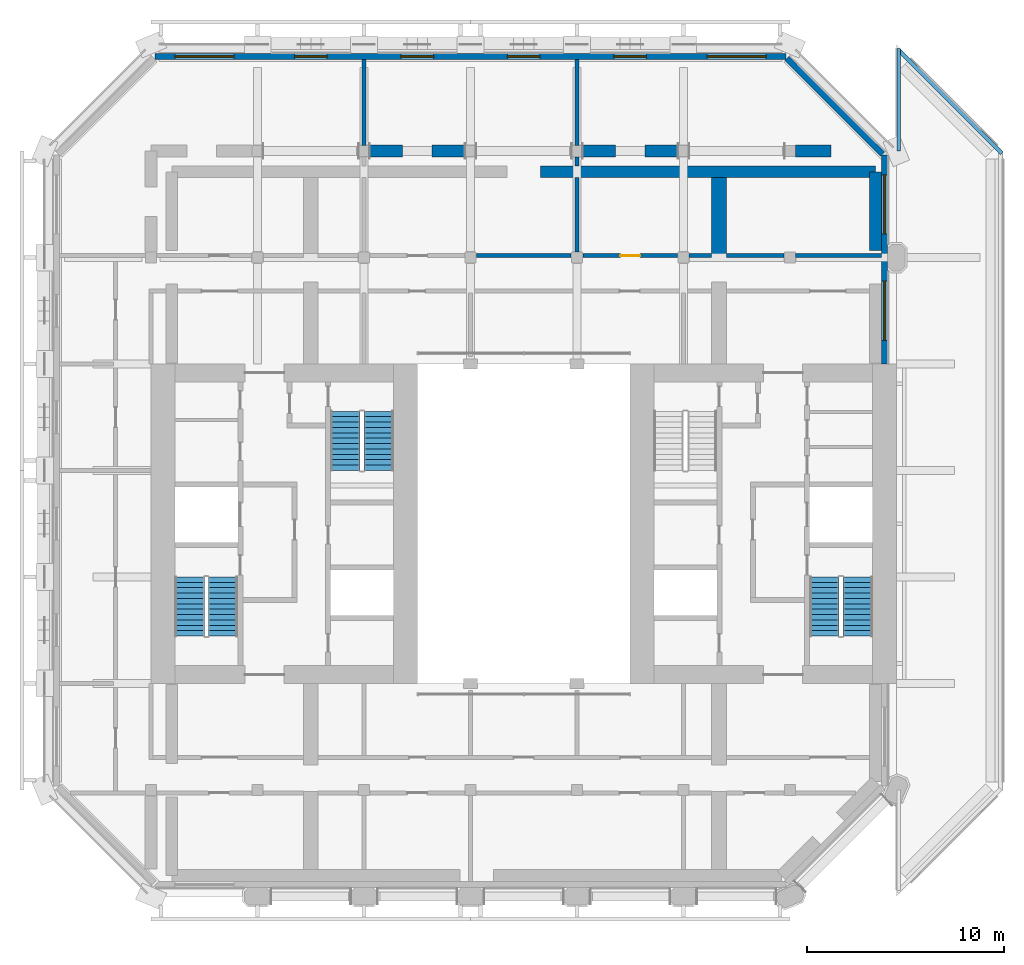
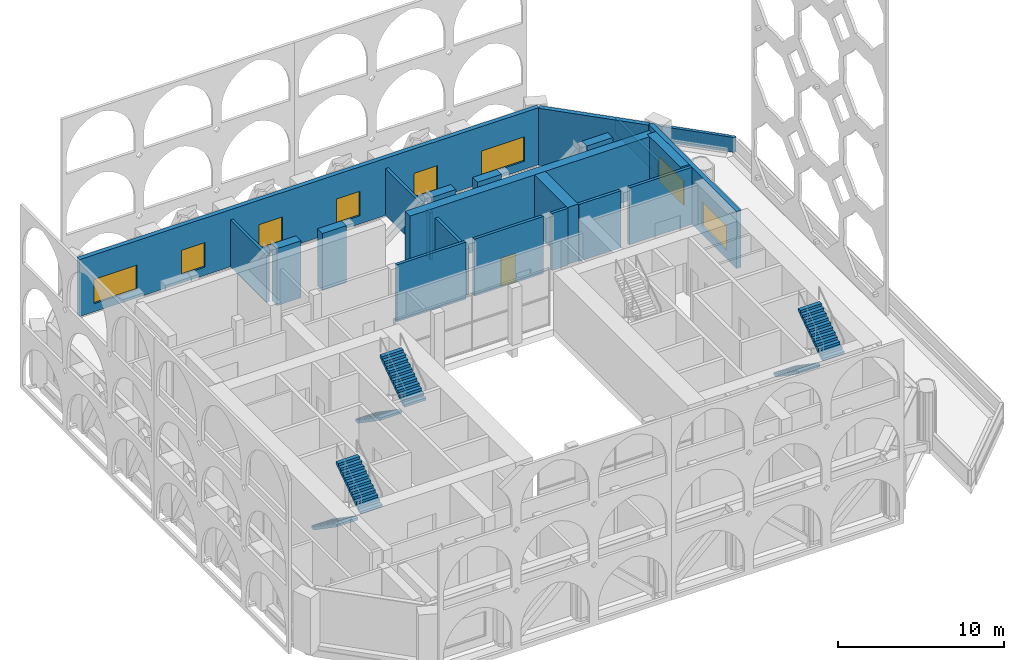
# One storey, part 10 of 16: 22 walls, 8 windows, 6 stair flights, 1 door, 9 openings, 3 elements without a shape of their own.
"""IFC4 building model written with IfcOpenShell, lengths in metres."""

from ifc_helpers import new_model, si_unit, direction, frame, frame_2d, origin, place, context, subcontext, project, spatial, polyline, rectangle, outline, extrude, material, layer, layer_set, type_object, element, fill, aggregate, save


model = new_model("IFC4")

# Units and contexts
model_context = context("Model", 3, precision=1e-05, world=origin(), true_north=direction((0.0, 1.0)))
body_context = subcontext(model_context, "Body", "Model", "MODEL_VIEW")
ifc_project = project(units=[si_unit("LENGTHUNIT", "METRE"), si_unit("AREAUNIT", "SQUARE_METRE"), si_unit("VOLUMEUNIT", "CUBIC_METRE"), si_unit("PLANEANGLEUNIT", "RADIAN"), si_unit("MASSUNIT", "GRAM", prefix="KILO")], contexts=[model_context])

# Site, building, storey
site_placement = place(None, origin())
site = spatial("IfcSite", under=ifc_project, at=site_placement, CompositionType="ELEMENT")
building_placement = place(site_placement, origin())
building = spatial("IfcBuilding", under=site, at=building_placement, Name="Tabaq Tower and Sports Hall", CompositionType="ELEMENT")
storey_placement = place(building_placement, frame((0.0, 0.0, 308.199951171875)))
storey = spatial("IfcBuildingStorey", under=building, at=storey_placement, Name="L77", CompositionType="ELEMENT", Elevation=308.199951171875)

# Walls
ifc_material_1 = material(Name="Blockwork", Category="masonry")
ifc_layer_1 = layer(ifc_material_1, 0.199951171875)
ifc_layer_set_1 = layer_set([ifc_layer_1], Name="Fire compartment wall 200 Blockwork")
wall_type_1 = type_object("IfcWallType", Name="Fire compartment wall 200 Blockwork", PredefinedType="PARTITIONING", material=ifc_layer_set_1)
wall_1_placement = place(storey_placement, frame((27.0, 47.84912109375, 0.0), z_axis=(0.0, 0.0, 1.0), x_axis=(0.0, -1.0, 0.0)))
element("IfcWall", 1, at=wall_1_placement, inside=storey, type_object=wall_type_1, Name="Compartment wall L77", PredefinedType="PARTITIONING", context=body_context, shape_type="SweptSolid", body=[
    extrude(rectangle(XDim=4.35400390625, YDim=0.199951171875, at=frame_2d((2.177001953125, 0.0))), origin(), (0.0, 0.0, 1.0), 3.449951171875),
])
wall_2_placement = place(storey_placement, frame((27.0, 42.905029296875, 0.0), z_axis=(0.0, 0.0, 1.0), x_axis=(0.0, -1.0, 0.0)))
element("IfcWall", 2, at=wall_2_placement, inside=storey, type_object=wall_type_1, Name="Compartment wall L77", PredefinedType="PARTITIONING", context=body_context, shape_type="SweptSolid", body=[
    extrude(rectangle(XDim=0.4541015625, YDim=0.199951171875, at=frame_2d((0.22705078125, 0.0))), origin(), (0.0, 0.0, 1.0), 3.449951171875),
])
wall_3_placement = place(storey_placement, frame((27.0, 41.84912109375, 0.0), z_axis=(0.0, 0.0, 1.0), x_axis=(0.0, -1.0, 0.0)))
element("IfcWall", 3, at=wall_3_placement, inside=storey, type_object=wall_type_1, Name="Compartment wall L77", PredefinedType="PARTITIONING", context=body_context, shape_type="SweptSolid", body=[
    extrude(rectangle(XDim=3.754150390625, YDim=0.199951171875, at=frame_2d((1.876953125, 0.0))), origin(), (0.0, 0.0, 1.0), 3.449951171875),
])

# Wall, opening, door
wall_4_placement = place(storey_placement, frame((27.294921875, 37.89990234375, 0.0), z_axis=(0.0, 0.0, 1.0), x_axis=(1.0, 0.0, 0.0)))
wall_4 = element("IfcWall", 4, at=wall_4_placement, inside=storey, type_object=wall_type_1, Name="Compartment wall L77", PredefinedType="PARTITIONING", context=body_context, shape_type="SweptSolid", body=[
    extrude(rectangle(XDim=4.81005859375, YDim=0.199951171875, at=frame_2d((2.405029296875, 0.0))), origin(), (0.0, 0.0, 1.0), 4.199951171875),
])
opening_1_placement = place(wall_4_placement, frame((1.905029296875, 0.0, 0.0)))
opening_1 = element("IfcOpeningElement", 5, at=opening_1_placement, cuts=wall_4, Name="Opening L77-002", PredefinedType="OPENING", context=body_context, shape_type="SweptSolid", body=[
    extrude(rectangle(XDim=1.0, YDim=2.10009765625, at=frame_2d((0.5, 1.050048828125))), frame((0.0, 0.10009765625, 0.0), z_axis=(0.0, -1.0, 0.0), x_axis=(1.0, 0.0, 0.0)), (0.0, 0.0, 1.0), 0.199951171875),
])
ifc_material_2 = material(Name="Steel fire door", Category="steel")
door_type = type_object("IfcDoorType", Name="Plant room door 1000 right hand", OperationType="SINGLE_SWING_RIGHT", PredefinedType="DOOR", material=ifc_material_2)
door_placement = place(opening_1_placement, origin())
door = element("IfcDoor", 6, at=door_placement, inside=storey, type_object=door_type, Name="Plant room door L77-002", OperationType="SINGLE_SWING_RIGHT", OverallHeight=2.10009765625, OverallWidth=1.0, PredefinedType="DOOR", context=body_context, shape_type="SweptSolid", body=[
    extrude(rectangle(XDim=1.0, YDim=2.10009765625, at=frame_2d((0.5, 1.050048828125))), frame((0.0, 0.02490234375, 0.0), z_axis=(0.0, -1.0, 0.0), x_axis=(1.0, 0.0, 0.0)), (0.0, 0.0, 1.0), 0.050048828125),
])
fill(opening_1, door)

# Walls
wall_5_placement = place(storey_placement, frame((32.695068359375, 37.89990234375, 0.0), z_axis=(0.0, 0.0, 1.0), x_axis=(1.0, 0.0, 0.0)))
element("IfcWall", 7, at=wall_5_placement, inside=storey, type_object=wall_type_1, Name="Compartment wall L77", PredefinedType="PARTITIONING", context=body_context, shape_type="SweptSolid", body=[
    extrude(rectangle(XDim=1.12890625, YDim=0.199951171875, at=frame_2d((0.564453125, 0.0))), origin(), (0.0, 0.0, 1.0), 4.199951171875),
])
wall_6_placement = place(storey_placement, frame((34.575927734375, 37.89990234375, 0.0), z_axis=(0.0, 0.0, 1.0), x_axis=(1.0, 0.0, 0.0)))
element("IfcWall", 8, at=wall_6_placement, inside=storey, type_object=wall_type_1, Name="Compartment wall L77", PredefinedType="PARTITIONING", context=body_context, shape_type="SweptSolid", body=[
    extrude(rectangle(XDim=2.928955078125, YDim=0.199951171875, at=frame_2d((1.46435546875, 0.0))), origin(), (0.0, 0.0, 1.0), 4.199951171875),
])
wall_7_placement = place(storey_placement, frame((38.094970703125, 37.89990234375, 0.0), z_axis=(0.0, 0.0, 1.0), x_axis=(1.0, 0.0, 0.0)))
element("IfcWall", 9, at=wall_7_placement, inside=storey, type_object=wall_type_1, Name="Compartment wall L77", PredefinedType="PARTITIONING", context=body_context, shape_type="SweptSolid", body=[
    extrude(rectangle(XDim=4.35400390625, YDim=0.199951171875, at=frame_2d((2.177001953125, 0.0))), origin(), (0.0, 0.0, 1.0), 4.199951171875),
])
wall_8_placement = place(storey_placement, frame((16.199951171875, 47.84912109375, 0.0), z_axis=(0.0, 0.0, 1.0), x_axis=(0.0, -1.0, 0.0)))
element("IfcWall", 10, at=wall_8_placement, inside=storey, type_object=wall_type_1, Name="Compartment wall L77", PredefinedType="PARTITIONING", context=body_context, shape_type="SweptSolid", body=[
    extrude(rectangle(XDim=4.35400390625, YDim=0.199951171875, at=frame_2d((2.177001953125, 0.0))), origin(), (0.0, 0.0, 1.0), 3.449951171875),
])
wall_9_placement = place(storey_placement, frame((21.89501953125, 37.89990234375, 0.0), z_axis=(0.0, 0.0, 1.0), x_axis=(1.0, 0.0, 0.0)))
element("IfcWall", 11, at=wall_9_placement, inside=storey, type_object=wall_type_1, Name="Compartment wall L77", PredefinedType="PARTITIONING", context=body_context, shape_type="SweptSolid", body=[
    extrude(rectangle(XDim=4.81005859375, YDim=0.199951171875, at=frame_2d((2.405029296875, 0.0))), origin(), (0.0, 0.0, 1.0), 4.199951171875),
])
ifc_material_3 = material(Name="Concrete C40/50", Category="concrete")
ifc_layer_2 = layer(ifc_material_3, 0.60009765625)
ifc_layer_set_2 = layer_set([ifc_layer_2], Name="RC BELT WALL 600 C40/50")
wall_type_2 = type_object("IfcWallType", Name="RC BELT WALL 600 C40/50", PredefinedType="SHEAR", material=ifc_layer_set_2)
wall_10_placement = place(storey_placement, frame((25.14990234375, 42.14990234375, 0.0), z_axis=(0.0, 0.0, 1.0), x_axis=(1.0, 0.0, 0.0)))
element("IfcWall", 12, at=wall_10_placement, inside=storey, type_object=wall_type_2, Name="Belt Wall L77 6", PredefinedType="SHEAR", context=body_context, shape_type="SweptSolid", body=[
    extrude(rectangle(XDim=17.0, YDim=0.60009765625, at=frame_2d((8.5, 0.0))), origin(), (0.0, 0.0, 1.0), 4.199951171875),
])
wall_11_placement = place(storey_placement, frame((42.14990234375, 42.14990234375, 0.0), z_axis=(0.0, 0.0, 1.0), x_axis=(0.0, -1.0, 0.0)))
element("IfcWall", 13, at=wall_11_placement, inside=storey, type_object=wall_type_2, Name="Belt Wall L77 7", PredefinedType="SHEAR", context=body_context, shape_type="SweptSolid", body=[
    extrude(rectangle(XDim=4.0, YDim=0.60009765625, at=frame_2d((2.0, 0.0))), origin(), (0.0, 0.0, 1.0), 4.199951171875),
])
ifc_material_4 = material(Name="Concrete C40/50", Category="concrete")
ifc_layer_3 = layer(ifc_material_4, 0.75)
ifc_layer_set_3 = layer_set([ifc_layer_3], Name="RC OUTRIGGER WALL 750 C40/50")
wall_type_3 = type_object("IfcWallType", Name="RC OUTRIGGER WALL 750 C40/50", PredefinedType="SHEAR", material=ifc_layer_set_3)
wall_12_placement = place(storey_placement, frame((34.199951171875, 37.875, 0.0), z_axis=(0.0, 0.0, 1.0), x_axis=(0.0, 1.0, 0.0)))
element("IfcWall", 14, at=wall_12_placement, inside=storey, type_object=wall_type_3, Name="Outrigger Wall L77 8", PredefinedType="SHEAR", context=body_context, shape_type="SweptSolid", body=[
    extrude(rectangle(XDim=3.97509765625, YDim=0.75, at=frame_2d((1.987548828125, 0.0))), origin(), (0.0, 0.0, 1.0), 4.199951171875),
])
ifc_material_5 = material(Name="Concrete C40/50", Category="concrete")
ifc_layer_4 = layer(ifc_material_5, 0.60009765625)
ifc_layer_set_4 = layer_set([ifc_layer_4], Name="RC TRANSFER WALL 600 C40/50")
wall_type_4 = type_object("IfcWallType", Name="RC TRANSFER WALL 600 C40/50", PredefinedType="SHEAR", material=ifc_layer_set_4)
wall_13_placement = place(storey_placement, frame((16.47509765625, 43.199951171875, 0.0), z_axis=(0.0, 0.0, 1.0), x_axis=(1.0, 0.0, 0.0)))
element("IfcWall", 15, at=wall_13_placement, inside=storey, type_object=wall_type_4, Name="Transfer Wall L77 North 6", PredefinedType="SHEAR", context=body_context, shape_type="SweptSolid", body=[
    extrude(rectangle(XDim=1.6748046875, YDim=0.60009765625, at=frame_2d((0.83740234375, 0.0))), origin(), (0.0, 0.0, 1.0), 4.199951171875),
])
for number, where, z_axis, x_axis, name in (
    (16, (19.64990234375, 43.199951171875, 0.0), (0.0, 0.0, 1.0), (1.0, 0.0, 0.0), "Transfer Wall L77 North 7"),
    (17, (27.27490234375, 43.199951171875, 0.0), (0.0, 0.0, 1.0), (1.0, 0.0, 0.0), "Transfer Wall L77 North 8"),
    (18, (30.449951171875, 43.199951171875, 0.0), (0.0, 0.0, 1.0), (1.0, 0.0, 0.0), "Transfer Wall L77 North 9"),
):
    element("IfcWall", number, at=place(storey_placement, frame(where, z_axis=z_axis, x_axis=x_axis)), inside=storey, type_object=wall_type_4, Name=name, PredefinedType="SHEAR", context=body_context, shape_type="SweptSolid", body=[
        extrude(rectangle(XDim=1.675048828125, YDim=0.60009765625, at=frame_2d((0.83740234375, 0.0))), origin(), (0.0, 0.0, 1.0), 4.199951171875),
    ])
wall_14_placement = place(storey_placement, frame((38.074951171875, 43.199951171875, 0.0), z_axis=(0.0, 0.0, 1.0), x_axis=(1.0, 0.0, 0.0)))
element("IfcWall", 19, at=wall_14_placement, inside=storey, type_object=wall_type_4, Name="Transfer Wall L77 North 10", PredefinedType="SHEAR", context=body_context, shape_type="SweptSolid", body=[
    extrude(rectangle(XDim=1.8125, YDim=0.60009765625, at=frame_2d((0.90625, 0.0))), origin(), (0.0, 0.0, 1.0), 4.199951171875),
])

# Wall, openings, windows
ifc_material_6 = material(Name="White precast concrete C60/75", Category="concrete")
ifc_layer_5 = layer(ifc_material_6, 0.300048828125)
ifc_layer_set_5 = layer_set([ifc_layer_5], Name="White precast concrete C60/75 external wall 300")
wall_type_5 = type_object("IfcWallType", Name="White precast concrete C60/75 external wall 300", PredefinedType="SOLIDWALL", material=ifc_layer_set_5)
wall_15_placement = place(storey_placement, frame((42.60009765625, 32.39990234375, 0.0), z_axis=(0.0, 0.0, 1.0), x_axis=(0.0, 1.0, 0.0)))
wall_15 = element("IfcWall", 20, at=wall_15_placement, inside=storey, type_object=wall_type_5, Name="External Wall L77 E", PredefinedType="SOLIDWALL", context=body_context, shape_type="SweptSolid", body=[
    extrude(outline(polyline([(0.0, 0.0), (10.61376953125, 0.0), (10.613525390625, 4.199951171875), (10.02392578125, 4.199951171875), (9.434326171875, 4.199951171875), (8.8447265625, 4.199951171875), (8.255126953125, 4.199951171875), (7.665283203125, 4.199951171875), (7.07568359375, 4.199951171875), (6.486083984375, 4.199951171875), (5.896484375, 4.199951171875), (5.306884765625, 4.199951171875), (4.717041015625, 4.199951171875), (4.12744140625, 4.199951171875), (3.537841796875, 4.199951171875), (2.9482421875, 4.199951171875), (2.358642578125, 4.199951171875), (1.76904296875, 4.199951171875), (1.17919921875, 4.199951171875), (0.589599609375, 4.199951171875), (0.0, 4.199951171875), (0.0, 0.0)])), frame((0.0, 0.14990234375, 0.0), z_axis=(0.0, -1.0, 0.0), x_axis=(1.0, 0.0, 0.0)), (0.0, 0.0, 1.0), 0.300048828125),
])
opening_2_placement = place(wall_15_placement, frame((1.199951171875, 0.0, 0.60009765625)))
opening_2 = element("IfcOpeningElement", 21, at=opening_2_placement, cuts=wall_15, Name="Opening LV1", PredefinedType="OPENING", context=body_context, shape_type="SweptSolid", body=[
    extrude(rectangle(XDim=3.0, YDim=1.800048828125, at=frame_2d((1.5, 0.89990234375))), frame((0.0, 0.16015625, 0.0), z_axis=(0.0, -1.0, 0.0), x_axis=(1.0, 0.0, 0.0)), (0.0, 0.0, 1.0), 0.320068359375),
])
opening_3_placement = place(wall_15_placement, frame((6.60009765625, 0.0, 0.60009765625)))
opening_3 = element("IfcOpeningElement", 22, at=opening_3_placement, cuts=wall_15, Name="Opening LV1", PredefinedType="OPENING", context=body_context, shape_type="SweptSolid", body=[
    extrude(rectangle(XDim=3.0, YDim=1.800048828125, at=frame_2d((1.5, 0.89990234375))), frame((0.0, 0.16015625, 0.0), z_axis=(0.0, -1.0, 0.0), x_axis=(1.0, 0.0, 0.0)), (0.0, 0.0, 1.0), 0.320068359375),
])
ifc_material_7 = material(Name="Aluminium alloy 6063-T6 louvre blades", Category="aluminium")
window_type_1 = type_object("IfcWindowType", Name="Plant louvre LV1", PartitioningType="SINGLE_PANEL", PredefinedType="WINDOW", material=ifc_material_7)
window_1_placement = place(opening_2_placement, origin())
window_1 = element("IfcWindow", 23, at=window_1_placement, inside=storey, type_object=window_type_1, Name="Plant louvre L77", OverallHeight=1.800048828125, OverallWidth=3.0, PartitioningType="SINGLE_PANEL", PredefinedType="WINDOW", context=body_context, shape_type="SweptSolid", body=[
    extrude(rectangle(XDim=3.0, YDim=1.800048828125, at=frame_2d((1.5, 0.89990234375))), frame((0.0, 0.030029296875, 0.0), z_axis=(0.0, -1.0, 0.0), x_axis=(1.0, 0.0, 0.0)), (0.0, 0.0, 1.0), 0.06005859375),
])
fill(opening_2, window_1)
window_2_placement = place(opening_3_placement, origin())
window_2 = element("IfcWindow", 24, at=window_2_placement, inside=storey, type_object=window_type_1, Name="Plant louvre L77", OverallHeight=1.800048828125, OverallWidth=3.0, PartitioningType="SINGLE_PANEL", PredefinedType="WINDOW", context=body_context, shape_type="SweptSolid", body=[
    extrude(rectangle(XDim=3.0, YDim=1.800048828125, at=frame_2d((1.5, 0.89990234375))), frame((0.0, 0.030029296875, 0.0), z_axis=(0.0, -1.0, 0.0), x_axis=(1.0, 0.0, 0.0)), (0.0, 0.0, 1.0), 0.06005859375),
])
fill(opening_3, window_2)

# Wall
wall_16_placement = place(storey_placement, frame((42.5009765625, 43.050537109375, 0.0), z_axis=(0.0, 0.0, 1.0), x_axis=(-0.707106781187, 0.707106781187, 0.0)))
element("IfcWall", 25, at=wall_16_placement, inside=storey, type_object=wall_type_5, Name="External Wall L77 NE", PredefinedType="SOLIDWALL", context=body_context, shape_type="SweptSolid", body=[
    extrude(outline(polyline([(0.0, 0.0), (6.85986328125, 0.0), (6.859619140625, 4.199951171875), (6.2880859375, 4.199951171875), (5.71630859375, 4.199951171875), (5.144775390625, 4.199951171875), (4.5732421875, 4.199951171875), (4.00146484375, 4.199951171875), (3.429931640625, 4.199951171875), (2.858154296875, 4.199951171875), (2.28662109375, 4.199951171875), (1.71484375, 4.199951171875), (1.143310546875, 4.199951171875), (0.571533203125, 4.199951171875), (0.0, 4.199951171875), (0.0, 0.0)])), frame((0.0, 0.14990234375, 0.0), z_axis=(0.0, -1.0, 0.0), x_axis=(1.0, 0.0, 0.0)), (0.0, 0.0, 1.0), 0.300048828125),
])

# Wall, openings, windows
wall_17_placement = place(storey_placement, frame((37.613525390625, 48.0, 0.0), z_axis=(0.0, 0.0, 1.0), x_axis=(-1.0, 0.0, 0.0)))
wall_17 = element("IfcWall", 26, at=wall_17_placement, inside=storey, type_object=wall_type_5, Name="External Wall L77 N", PredefinedType="SOLIDWALL", context=body_context, shape_type="SweptSolid", body=[
    extrude(outline(polyline([(0.0, 0.0), (32.027099609375, 0.0), (32.027099609375, 4.199951171875), (31.43408203125, 4.199951171875), (30.841064453125, 4.199951171875), (30.247802734375, 4.199951171875), (29.65478515625, 4.199951171875), (29.061767578125, 4.199951171875), (28.46875, 4.199951171875), (27.87548828125, 4.199951171875), (27.282470703125, 4.199951171875), (26.689453125, 4.199951171875), (26.09619140625, 4.199951171875), (25.503173828125, 4.199951171875), (24.91015625, 4.199951171875), (24.31689453125, 4.199951171875), (23.723876953125, 4.199951171875), (23.130859375, 4.199951171875), (22.53759765625, 4.199951171875), (21.944580078125, 4.199951171875), (21.3515625, 4.199951171875), (20.75830078125, 4.199951171875), (20.165283203125, 4.199951171875), (19.572265625, 4.199951171875), (18.97900390625, 4.199951171875), (18.385986328125, 4.199951171875), (17.79296875, 4.199951171875), (17.19970703125, 4.199951171875), (16.606689453125, 4.199951171875), (16.013671875, 4.199951171875), (15.42041015625, 4.199951171875), (14.827392578125, 4.199951171875), (14.234375, 4.199951171875), (13.64111328125, 4.199951171875), (13.048095703125, 4.199951171875), (12.455078125, 4.199951171875), (11.86181640625, 4.199951171875), (11.268798828125, 4.199951171875), (10.67578125, 4.199951171875), (10.08251953125, 4.199951171875), (9.489501953125, 4.199951171875), (8.896484375, 4.199951171875), (8.303466796875, 4.199951171875), (7.710205078125, 4.199951171875), (7.1171875, 4.199951171875), (6.524169921875, 4.199951171875), (5.930908203125, 4.199951171875), (5.337890625, 4.199951171875), (4.744873046875, 4.199951171875), (4.151611328125, 4.199951171875), (3.55859375, 4.199951171875), (2.965576171875, 4.199951171875), (2.372314453125, 4.199951171875), (1.779296875, 4.199951171875), (1.186279296875, 4.199951171875), (0.593017578125, 4.199951171875), (0.0, 4.199951171875), (0.0, 0.0)])), frame((0.0, 0.14990234375, 0.0), z_axis=(0.0, -1.0, 0.0), x_axis=(1.0, 0.0, 0.0)), (0.0, 0.0, 1.0), 0.300048828125),
])
opening_4_placement = place(wall_17_placement, frame((1.013671875, 0.0, 0.60009765625)))
opening_4 = element("IfcOpeningElement", 27, at=opening_4_placement, cuts=wall_17, Name="Opening LV1", PredefinedType="OPENING", context=body_context, shape_type="SweptSolid", body=[
    extrude(rectangle(XDim=3.0, YDim=1.800048828125, at=frame_2d((1.5, 0.89990234375))), frame((0.0, 0.16015625, 0.0), z_axis=(0.0, -1.0, 0.0), x_axis=(1.0, 0.0, 0.0)), (0.0, 0.0, 1.0), 0.320068359375),
])
opening_5_placement = place(wall_17_placement, frame((7.088623046875, 0.0, 0.60009765625)))
opening_5 = element("IfcOpeningElement", 28, at=opening_5_placement, cuts=wall_17, Name="Opening LV2", PredefinedType="OPENING", context=body_context, shape_type="SweptSolid", body=[
    extrude(rectangle(XDim=1.64990234375, YDim=1.800048828125, at=frame_2d((0.824951171875, 0.89990234375))), frame((0.0, 0.16015625, 0.0), z_axis=(0.0, -1.0, 0.0), x_axis=(1.0, 0.0, 0.0)), (0.0, 0.0, 1.0), 0.320068359375),
])
opening_6_placement = place(wall_17_placement, frame((12.488525390625, 0.0, 0.60009765625)))
opening_6 = element("IfcOpeningElement", 29, at=opening_6_placement, cuts=wall_17, Name="Opening LV2", PredefinedType="OPENING", context=body_context, shape_type="SweptSolid", body=[
    extrude(rectangle(XDim=1.64990234375, YDim=1.800048828125, at=frame_2d((0.824951171875, 0.89990234375))), frame((0.0, 0.16015625, 0.0), z_axis=(0.0, -1.0, 0.0), x_axis=(1.0, 0.0, 0.0)), (0.0, 0.0, 1.0), 0.320068359375),
])
opening_7_placement = place(wall_17_placement, frame((17.888671875, 0.0, 0.60009765625)))
opening_7 = element("IfcOpeningElement", 30, at=opening_7_placement, cuts=wall_17, Name="Opening LV2", PredefinedType="OPENING", context=body_context, shape_type="SweptSolid", body=[
    extrude(rectangle(XDim=1.64990234375, YDim=1.800048828125, at=frame_2d((0.824951171875, 0.89990234375))), frame((0.0, 0.16015625, 0.0), z_axis=(0.0, -1.0, 0.0), x_axis=(1.0, 0.0, 0.0)), (0.0, 0.0, 1.0), 0.320068359375),
])
opening_8_placement = place(wall_17_placement, frame((23.28857421875, 0.0, 0.60009765625)))
opening_8 = element("IfcOpeningElement", 31, at=opening_8_placement, cuts=wall_17, Name="Opening LV2", PredefinedType="OPENING", context=body_context, shape_type="SweptSolid", body=[
    extrude(rectangle(XDim=1.64990234375, YDim=1.800048828125, at=frame_2d((0.824951171875, 0.89990234375))), frame((0.0, 0.16015625, 0.0), z_axis=(0.0, -1.0, 0.0), x_axis=(1.0, 0.0, 0.0)), (0.0, 0.0, 1.0), 0.320068359375),
])
opening_9_placement = place(wall_17_placement, frame((28.013671875, 0.0, 0.60009765625)))
opening_9 = element("IfcOpeningElement", 32, at=opening_9_placement, cuts=wall_17, Name="Opening LV1", PredefinedType="OPENING", context=body_context, shape_type="SweptSolid", body=[
    extrude(rectangle(XDim=3.0, YDim=1.800048828125, at=frame_2d((1.5, 0.89990234375))), frame((0.0, 0.16015625, 0.0), z_axis=(0.0, -1.0, 0.0), x_axis=(1.0, 0.0, 0.0)), (0.0, 0.0, 1.0), 0.320068359375),
])
window_3_placement = place(opening_4_placement, origin())
window_3 = element("IfcWindow", 33, at=window_3_placement, inside=storey, type_object=window_type_1, Name="Plant louvre L77", OverallHeight=1.800048828125, OverallWidth=3.0, PartitioningType="SINGLE_PANEL", PredefinedType="WINDOW", context=body_context, shape_type="SweptSolid", body=[
    extrude(rectangle(XDim=3.0, YDim=1.800048828125, at=frame_2d((1.5, 0.89990234375))), frame((0.0, 0.030029296875, 0.0), z_axis=(0.0, -1.0, 0.0), x_axis=(1.0, 0.0, 0.0)), (0.0, 0.0, 1.0), 0.06005859375),
])
fill(opening_4, window_3)
window_4_placement = place(opening_9_placement, origin())
window_4 = element("IfcWindow", 34, at=window_4_placement, inside=storey, type_object=window_type_1, Name="Plant louvre L77", OverallHeight=1.800048828125, OverallWidth=3.0, PartitioningType="SINGLE_PANEL", PredefinedType="WINDOW", context=body_context, shape_type="SweptSolid", body=[
    extrude(rectangle(XDim=3.0, YDim=1.800048828125, at=frame_2d((1.5, 0.89990234375))), frame((0.0, 0.030029296875, 0.0), z_axis=(0.0, -1.0, 0.0), x_axis=(1.0, 0.0, 0.0)), (0.0, 0.0, 1.0), 0.06005859375),
])
fill(opening_9, window_4)
ifc_material_8 = material(Name="Aluminium alloy 6063-T6 louvre blades", Category="aluminium")
window_type_2 = type_object("IfcWindowType", Name="Plant louvre LV2", PartitioningType="SINGLE_PANEL", PredefinedType="WINDOW", material=ifc_material_8)
window_5_placement = place(opening_5_placement, origin())
window_5 = element("IfcWindow", 35, at=window_5_placement, inside=storey, type_object=window_type_2, Name="Plant louvre L77", OverallHeight=1.800048828125, OverallWidth=1.64990234375, PartitioningType="SINGLE_PANEL", PredefinedType="WINDOW", context=body_context, shape_type="SweptSolid", body=[
    extrude(rectangle(XDim=1.64990234375, YDim=1.800048828125, at=frame_2d((0.824951171875, 0.89990234375))), frame((0.0, 0.030029296875, 0.0), z_axis=(0.0, -1.0, 0.0), x_axis=(1.0, 0.0, 0.0)), (0.0, 0.0, 1.0), 0.06005859375),
])
fill(opening_5, window_5)
window_6_placement = place(opening_6_placement, origin())
window_6 = element("IfcWindow", 36, at=window_6_placement, inside=storey, type_object=window_type_2, Name="Plant louvre L77", OverallHeight=1.800048828125, OverallWidth=1.64990234375, PartitioningType="SINGLE_PANEL", PredefinedType="WINDOW", context=body_context, shape_type="SweptSolid", body=[
    extrude(rectangle(XDim=1.64990234375, YDim=1.800048828125, at=frame_2d((0.824951171875, 0.89990234375))), frame((0.0, 0.030029296875, 0.0), z_axis=(0.0, -1.0, 0.0), x_axis=(1.0, 0.0, 0.0)), (0.0, 0.0, 1.0), 0.06005859375),
])
fill(opening_6, window_6)
window_7_placement = place(opening_7_placement, origin())
window_7 = element("IfcWindow", 37, at=window_7_placement, inside=storey, type_object=window_type_2, Name="Plant louvre L77", OverallHeight=1.800048828125, OverallWidth=1.64990234375, PartitioningType="SINGLE_PANEL", PredefinedType="WINDOW", context=body_context, shape_type="SweptSolid", body=[
    extrude(rectangle(XDim=1.64990234375, YDim=1.800048828125, at=frame_2d((0.824951171875, 0.89990234375))), frame((0.0, 0.030029296875, 0.0), z_axis=(0.0, -1.0, 0.0), x_axis=(1.0, 0.0, 0.0)), (0.0, 0.0, 1.0), 0.06005859375),
])
fill(opening_7, window_7)
window_8_placement = place(opening_8_placement, origin())
window_8 = element("IfcWindow", 38, at=window_8_placement, inside=storey, type_object=window_type_2, Name="Plant louvre L77", OverallHeight=1.800048828125, OverallWidth=1.64990234375, PartitioningType="SINGLE_PANEL", PredefinedType="WINDOW", context=body_context, shape_type="SweptSolid", body=[
    extrude(rectangle(XDim=1.64990234375, YDim=1.800048828125, at=frame_2d((0.824951171875, 0.89990234375))), frame((0.0, 0.030029296875, 0.0), z_axis=(0.0, -1.0, 0.0), x_axis=(1.0, 0.0, 0.0)), (0.0, 0.0, 1.0), 0.06005859375),
])
fill(opening_8, window_8)

# Walls
ifc_material_9 = material(Name="White precast concrete C60/75", Category="concrete")
ifc_layer_6 = layer(ifc_material_9, 0.199951171875)
ifc_layer_set_6 = layer_set([ifc_layer_6], Name="White precast concrete C60/75 parapet 200")
wall_type_6 = type_object("IfcWallType", Name="White precast concrete C60/75 parapet 200", PredefinedType="PARAPET", material=ifc_layer_set_6)
wall_18_placement = place(storey_placement, frame((43.320068359375, 43.199951171875, 0.0), z_axis=(0.0, 0.0, 1.0), x_axis=(0.0, 1.0, 0.0)))
element("IfcWall", 39, at=wall_18_placement, inside=storey, type_object=wall_type_6, Name="Roof parapet L77", PredefinedType="PARAPET", context=body_context, shape_type="SweptSolid", body=[
    extrude(rectangle(XDim=5.21044921875, YDim=0.199951171875, at=frame_2d((2.605224609375, 0.0))), origin(), (0.0, 0.0, 1.0), 1.10009765625),
])
wall_19_placement = place(storey_placement, frame((43.320068359375, 48.310302734375, 0.0), z_axis=(0.0, 0.0, 1.0), x_axis=(0.707106781187, -0.707106781187, 0.0)))
element("IfcWall", 40, at=wall_19_placement, inside=storey, type_object=wall_type_6, Name="Roof parapet L77", PredefinedType="PARAPET", context=body_context, shape_type="SweptSolid", body=[
    extrude(rectangle(XDim=7.3974609375, YDim=0.199951171875, at=frame_2d((3.69873046875, 0.0))), origin(), (0.0, 0.0, 1.0), 1.10009765625),
])

# Stair, stair flights
ifc_material_10 = material(Name="Concrete C40/50", Category="concrete")
stair_type = type_object("IfcStairType", Name="Exit stair", PredefinedType="HALF_TURN_STAIR", material=ifc_material_10)
stair_1_placement = place(storey_placement, origin())
stair_1 = element("IfcStair", 41, at=stair_1_placement, inside=storey, type_object=stair_type, Name="L77 Exit stair ST1", PredefinedType="HALF_TURN_STAIR")
ifc_material_11 = material(Name="Concrete C40/50", Category="concrete")
stair_flight_type = type_object("IfcStairFlightType", Name="Exit stair flight", PredefinedType="STRAIGHT", material=ifc_material_11)
stair_flight_1_placement = place(storey_placement, frame((7.35009765625, 21.60009765625, 0.0), z_axis=(0.0, 0.0, 1.0), x_axis=(0.0, -1.0, 0.0)))
stair_flight_1 = element("IfcStairFlight", 42, at=stair_flight_1_placement, type_object=stair_flight_type, Name="ST1 flight 1", NumberOfRisers=12, NumberOfTreads=11, PredefinedType="STRAIGHT", RiserHeight=0.1875, TreadLength=0.272727273, context=body_context, shape_type="SweptSolid", body=[
    extrude(outline(polyline([(0.0, 0.0), (0.0, 0.1875), (0.272705078125, 0.1875), (0.272705078125, 0.375), (0.54541015625, 0.375), (0.54541015625, 0.5625), (0.818115234375, 0.5625), (0.818115234375, 0.75), (1.0908203125, 0.75), (1.0908203125, 0.9375), (1.363525390625, 0.9375), (1.363525390625, 1.125), (1.636474609375, 1.125), (1.636474609375, 1.3125), (1.9091796875, 1.3125), (1.9091796875, 1.5), (2.181884765625, 1.5), (2.181884765625, 1.6875), (2.45458984375, 1.6875), (2.45458984375, 1.875), (2.727294921875, 1.875), (2.727294921875, 2.0625), (3.0, 2.0625), (3.0, 2.25), (3.0, 1.880615234375), (0.2646484375, 0.0), (0.0, 0.0)])), frame((0.0, 0.75, 0.0), z_axis=(0.0, -1.0, 0.0), x_axis=(1.0, 0.0, 0.0)), (0.0, 0.0, 1.0), 1.5),
])
stair_flight_2_placement = place(storey_placement, frame((9.050048828125, 18.60009765625, 2.25), z_axis=(0.0, 0.0, 1.0), x_axis=(0.0, 1.0, 0.0)))
stair_flight_2 = element("IfcStairFlight", 43, at=stair_flight_2_placement, type_object=stair_flight_type, Name="ST1 flight 2", NumberOfRisers=12, NumberOfTreads=11, PredefinedType="STRAIGHT", RiserHeight=0.1875, TreadLength=0.272727273, context=body_context, shape_type="SweptSolid", body=[
    extrude(outline(polyline([(0.0, 0.0), (0.0, 0.1875), (0.272705078125, 0.1875), (0.272705078125, 0.375), (0.54541015625, 0.375), (0.54541015625, 0.5625), (0.818115234375, 0.5625), (0.818115234375, 0.75), (1.0908203125, 0.75), (1.0908203125, 0.9375), (1.363525390625, 0.9375), (1.363525390625, 1.125), (1.636474609375, 1.125), (1.636474609375, 1.3125), (1.9091796875, 1.3125), (1.9091796875, 1.5), (2.181884765625, 1.5), (2.181884765625, 1.6875), (2.45458984375, 1.6875), (2.45458984375, 1.875), (2.727294921875, 1.875), (2.727294921875, 2.0625), (3.0, 2.0625), (3.0, 2.25), (3.0, 1.880615234375), (0.2646484375, 0.0), (0.0, 0.0)])), frame((0.0, 0.75, 0.0), z_axis=(0.0, -1.0, 0.0), x_axis=(1.0, 0.0, 0.0)), (0.0, 0.0, 1.0), 1.5),
])
aggregate(stair_1, [stair_flight_1, stair_flight_2])

stair_2_placement = place(storey_placement, origin())
stair_2 = element("IfcStair", 44, at=stair_2_placement, inside=storey, type_object=stair_type, Name="L77 Exit stair ST2", PredefinedType="HALF_TURN_STAIR")
stair_flight_3_placement = place(storey_placement, frame((15.25, 30.0, 0.0), z_axis=(0.0, 0.0, 1.0), x_axis=(0.0, -1.0, 0.0)))
stair_flight_3 = element("IfcStairFlight", 45, at=stair_flight_3_placement, type_object=stair_flight_type, Name="ST2 flight 1", NumberOfRisers=12, NumberOfTreads=11, PredefinedType="STRAIGHT", RiserHeight=0.1875, TreadLength=0.272727273, context=body_context, shape_type="SweptSolid", body=[
    extrude(outline(polyline([(0.0, 0.0), (0.0, 0.1875), (0.272705078125, 0.1875), (0.272705078125, 0.375), (0.54541015625, 0.375), (0.54541015625, 0.5625), (0.818115234375, 0.5625), (0.818115234375, 0.75), (1.0908203125, 0.75), (1.0908203125, 0.9375), (1.363525390625, 0.9375), (1.363525390625, 1.125), (1.636474609375, 1.125), (1.636474609375, 1.3125), (1.9091796875, 1.3125), (1.9091796875, 1.5), (2.181884765625, 1.5), (2.181884765625, 1.6875), (2.45458984375, 1.6875), (2.45458984375, 1.875), (2.727294921875, 1.875), (2.727294921875, 2.0625), (3.0, 2.0625), (3.0, 2.25), (3.0, 1.880615234375), (0.2646484375, 0.0), (0.0, 0.0)])), frame((0.0, 0.75, 0.0), z_axis=(0.0, -1.0, 0.0), x_axis=(1.0, 0.0, 0.0)), (0.0, 0.0, 1.0), 1.5),
])
stair_flight_4_placement = place(storey_placement, frame((16.949951171875, 27.0, 2.25), z_axis=(0.0, 0.0, 1.0), x_axis=(0.0, 1.0, 0.0)))
stair_flight_4 = element("IfcStairFlight", 46, at=stair_flight_4_placement, type_object=stair_flight_type, Name="ST2 flight 2", NumberOfRisers=12, NumberOfTreads=11, PredefinedType="STRAIGHT", RiserHeight=0.1875, TreadLength=0.272727273, context=body_context, shape_type="SweptSolid", body=[
    extrude(outline(polyline([(0.0, 0.0), (0.0, 0.1875), (0.272705078125, 0.1875), (0.272705078125, 0.375), (0.54541015625, 0.375), (0.54541015625, 0.5625), (0.818115234375, 0.5625), (0.818115234375, 0.75), (1.0908203125, 0.75), (1.0908203125, 0.9375), (1.363525390625, 0.9375), (1.363525390625, 1.125), (1.636474609375, 1.125), (1.636474609375, 1.3125), (1.9091796875, 1.3125), (1.9091796875, 1.5), (2.181884765625, 1.5), (2.181884765625, 1.6875), (2.45458984375, 1.6875), (2.45458984375, 1.875), (2.727294921875, 1.875), (2.727294921875, 2.0625), (3.0, 2.0625), (3.0, 2.25), (3.0, 1.880615234375), (0.2646484375, 0.0), (0.0, 0.0)])), frame((0.0, 0.75, 0.0), z_axis=(0.0, -1.0, 0.0), x_axis=(1.0, 0.0, 0.0)), (0.0, 0.0, 1.0), 1.5),
])
aggregate(stair_2, [stair_flight_3, stair_flight_4])

stair_3_placement = place(storey_placement, origin())
stair_3 = element("IfcStair", 47, at=stair_3_placement, inside=storey, type_object=stair_type, Name="L77 Exit stair ST3", PredefinedType="HALF_TURN_STAIR")
stair_flight_5_placement = place(storey_placement, frame((39.550048828125, 21.60009765625, 0.0), z_axis=(0.0, 0.0, 1.0), x_axis=(0.0, -1.0, 0.0)))
stair_flight_5 = element("IfcStairFlight", 48, at=stair_flight_5_placement, type_object=stair_flight_type, Name="ST3 flight 1", NumberOfRisers=12, NumberOfTreads=11, PredefinedType="STRAIGHT", RiserHeight=0.1875, TreadLength=0.272727273, context=body_context, shape_type="SweptSolid", body=[
    extrude(outline(polyline([(0.0, 0.0), (0.0, 0.1875), (0.272705078125, 0.1875), (0.272705078125, 0.375), (0.54541015625, 0.375), (0.54541015625, 0.5625), (0.818115234375, 0.5625), (0.818115234375, 0.75), (1.0908203125, 0.75), (1.0908203125, 0.9375), (1.363525390625, 0.9375), (1.363525390625, 1.125), (1.636474609375, 1.125), (1.636474609375, 1.3125), (1.9091796875, 1.3125), (1.9091796875, 1.5), (2.181884765625, 1.5), (2.181884765625, 1.6875), (2.45458984375, 1.6875), (2.45458984375, 1.875), (2.727294921875, 1.875), (2.727294921875, 2.0625), (3.0, 2.0625), (3.0, 2.25), (3.0, 1.880615234375), (0.2646484375, 0.0), (0.0, 0.0)])), frame((0.0, 0.75, 0.0), z_axis=(0.0, -1.0, 0.0), x_axis=(1.0, 0.0, 0.0)), (0.0, 0.0, 1.0), 1.5),
])
stair_flight_6_placement = place(storey_placement, frame((41.25, 18.60009765625, 2.25), z_axis=(0.0, 0.0, 1.0), x_axis=(0.0, 1.0, 0.0)))
stair_flight_6 = element("IfcStairFlight", 49, at=stair_flight_6_placement, type_object=stair_flight_type, Name="ST3 flight 2", NumberOfRisers=12, NumberOfTreads=11, PredefinedType="STRAIGHT", RiserHeight=0.1875, TreadLength=0.272727273, context=body_context, shape_type="SweptSolid", body=[
    extrude(outline(polyline([(0.0, 0.0), (0.0, 0.1875), (0.272705078125, 0.1875), (0.272705078125, 0.375), (0.54541015625, 0.375), (0.54541015625, 0.5625), (0.818115234375, 0.5625), (0.818115234375, 0.75), (1.0908203125, 0.75), (1.0908203125, 0.9375), (1.363525390625, 0.9375), (1.363525390625, 1.125), (1.636474609375, 1.125), (1.636474609375, 1.3125), (1.9091796875, 1.3125), (1.9091796875, 1.5), (2.181884765625, 1.5), (2.181884765625, 1.6875), (2.45458984375, 1.6875), (2.45458984375, 1.875), (2.727294921875, 1.875), (2.727294921875, 2.0625), (3.0, 2.0625), (3.0, 2.25), (3.0, 1.880615234375), (0.2646484375, 0.0), (0.0, 0.0)])), frame((0.0, 0.75, 0.0), z_axis=(0.0, -1.0, 0.0), x_axis=(1.0, 0.0, 0.0)), (0.0, 0.0, 1.0), 1.5),
])
aggregate(stair_3, [stair_flight_5, stair_flight_6])

save(model, "model.ifc")
